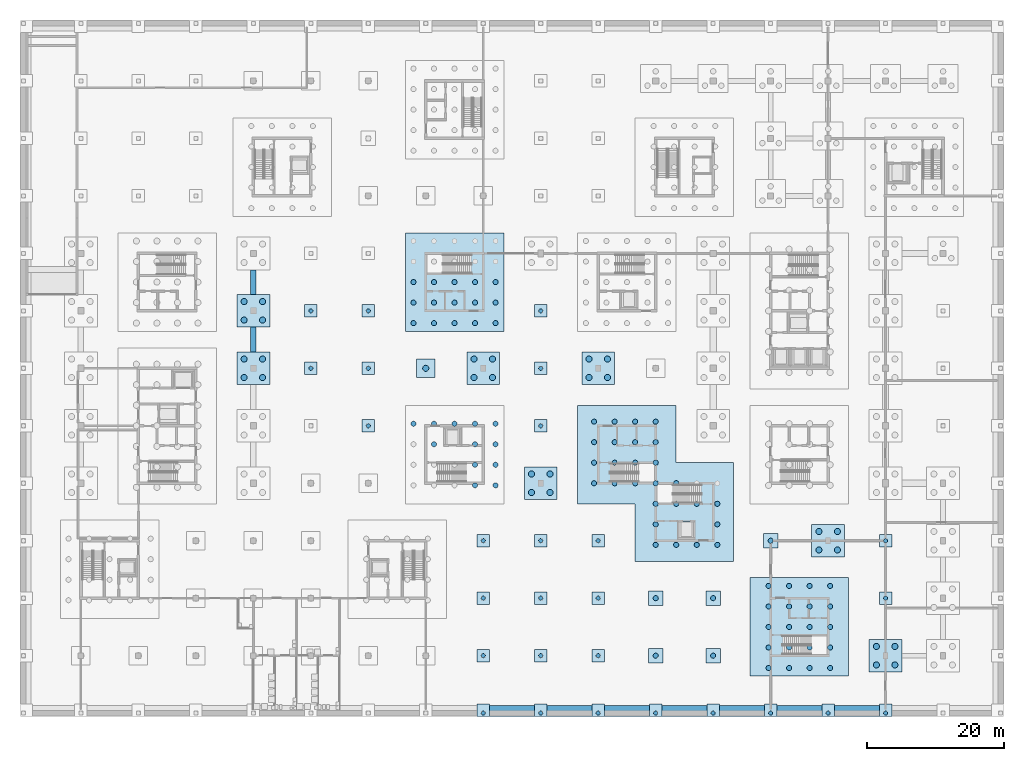
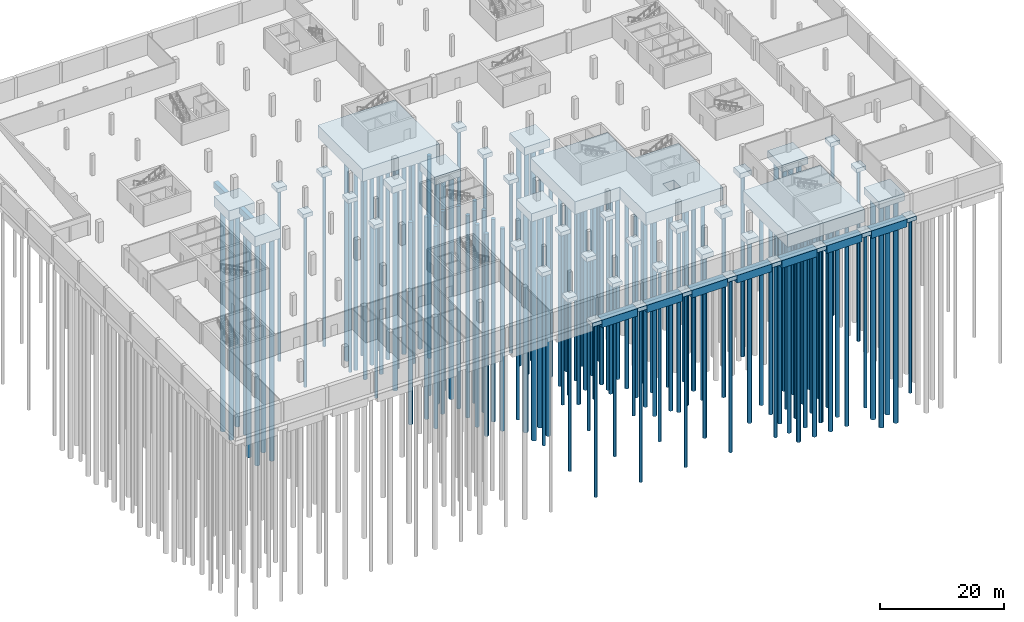
# One storey, part 2 of 23: 135 piles, 52 footings.
"""IFC4 building model written with IfcOpenShell, lengths in metres."""

from ifc_helpers import new_model, si_unit, direction, frame, origin, origin_2d, place, context, subcontext, project, spatial, polyline, rectangle, circle, outline, extrude, material, layer, layer_set, material_profile, profile_set, type_object, element, save


model = new_model("IFC4")

# Units and contexts
model_context = context("Model", 3, precision=1e-05, world=origin(), true_north=direction((0.0, 1.0)))
body_context = subcontext(model_context, "Body", "Model", "MODEL_VIEW")
ifc_project = project(units=[si_unit("LENGTHUNIT", "METRE"), si_unit("AREAUNIT", "SQUARE_METRE"), si_unit("VOLUMEUNIT", "CUBIC_METRE"), si_unit("PLANEANGLEUNIT", "RADIAN"), si_unit("MASSUNIT", "GRAM", prefix="KILO")], contexts=[model_context])

# Site, building, storey
site_placement = place(None, origin())
site = spatial("IfcSite", under=ifc_project, at=site_placement, CompositionType="ELEMENT")
building_placement = place(site_placement, origin())
building = spatial("IfcBuilding", under=site, at=building_placement, Name="Hlaing Beacon Police Headquarters", CompositionType="ELEMENT")
storey_placement = place(building_placement, frame((0.0, 0.0, -4.5)))
storey = spatial("IfcBuildingStorey", under=building, at=storey_placement, Name="B1", CompositionType="ELEMENT", Elevation=-4.5)

# Piles
ifc_material_1 = material(Name="Concrete C40/50", Category="concrete")
ifc_material_profile_1 = material_profile(ifc_material_1, circle(Radius=0.300048828125, at=origin_2d()), Name="D600")
ifc_profile_set_1 = profile_set([ifc_material_profile_1], Name="Concrete C40/50")
pile_type_1 = type_object("IfcPileType", Name="Bored pile D600 L34", PredefinedType="BORED", material=ifc_profile_set_1)
for number, where, z_axis, x_axis, name in (
    (1, (42.0, 50.39990234375, -1.39990234375), (0.0, 0.0, -1.0), (1.0, 0.0, 0.0), "STR-PILE-F7"),
    (2, (42.0, 58.800048828125, -1.39990234375), (0.0, 0.0, -1.0), (1.0, 0.0, 0.0), "STR-PILE-F8"),
    (3, (50.39990234375, 42.0, -1.39990234375), (0.0, 0.0, -1.0), (1.0, 0.0, 0.0), "STR-PILE-G6"),
    (4, (50.39990234375, 50.39990234375, -1.39990234375), (0.0, 0.0, -1.0), (1.0, 0.0, 0.0), "STR-PILE-G7"),
    (5, (50.39990234375, 58.800048828125, -1.39990234375), (0.0, 0.0, -1.0), (1.0, 0.0, 0.0), "STR-PILE-G8"),
    (6, (67.199951171875, 0.0, -1.39990234375), (0.0, 0.0, -1.0), (1.0, 0.0, 0.0), "STR-PILE-J1"),
    (7, (67.199951171875, 8.39990234375, -1.39990234375), (0.0, 0.0, -1.0), (1.0, 0.0, 0.0), "STR-PILE-J2"),
    (8, (67.199951171875, 16.800048828125, -1.39990234375), (0.0, 0.0, -1.0), (1.0, 0.0, 0.0), "STR-PILE-J3"),
    (9, (67.199951171875, 25.199951171875, -1.39990234375), (0.0, 0.0, -1.0), (1.0, 0.0, 0.0), "STR-PILE-J4"),
    (10, (75.60009765625, 0.0, -1.39990234375), (0.0, 0.0, -1.0), (1.0, 0.0, 0.0), "STR-PILE-K1"),
    (11, (75.60009765625, 8.39990234375, -1.39990234375), (0.0, 0.0, -1.0), (1.0, 0.0, 0.0), "STR-PILE-K2"),
    (12, (75.60009765625, 16.800048828125, -1.39990234375), (0.0, 0.0, -1.0), (1.0, 0.0, 0.0), "STR-PILE-K3"),
    (13, (75.60009765625, 25.199951171875, -1.39990234375), (0.0, 0.0, -1.0), (1.0, 0.0, 0.0), "STR-PILE-K4"),
    (14, (75.60009765625, 42.0, -1.39990234375), (0.0, 0.0, -1.0), (1.0, 0.0, 0.0), "STR-PILE-K6"),
    (15, (75.60009765625, 50.39990234375, -1.39990234375), (0.0, 0.0, -1.0), (1.0, 0.0, 0.0), "STR-PILE-K7"),
    (16, (75.60009765625, 58.800048828125, -1.39990234375), (0.0, 0.0, -1.0), (1.0, 0.0, 0.0), "STR-PILE-K8"),
    (17, (84.0, 0.0, -1.39990234375), (0.0, 0.0, -1.0), (1.0, 0.0, 0.0), "STR-PILE-L1"),
    (18, (84.0, 8.39990234375, -1.39990234375), (0.0, 0.0, -1.0), (1.0, 0.0, 0.0), "STR-PILE-L2"),
    (19, (84.0, 16.800048828125, -1.39990234375), (0.0, 0.0, -1.0), (1.0, 0.0, 0.0), "STR-PILE-L3"),
    (20, (84.0, 25.199951171875, -1.39990234375), (0.0, 0.0, -1.0), (1.0, 0.0, 0.0), "STR-PILE-L4"),
    (21, (92.39990234375, 0.0, -1.39990234375), (0.0, 0.0, -1.0), (1.0, 0.0, 0.0), "STR-PILE-M1"),
    (22, (100.800048828125, 0.0, -1.39990234375), (0.0, 0.0, -1.0), (1.0, 0.0, 0.0), "STR-PILE-N1"),
    (23, (109.199951171875, 0.0, -1.39990234375), (0.0, 0.0, -1.0), (1.0, 0.0, 0.0), "STR-PILE-P1"),
    (24, (117.60009765625, 0.0, -1.39990234375), (0.0, 0.0, -1.0), (1.0, 0.0, 0.0), "STR-PILE-Q1"),
    (25, (126.0, 0.0, -1.39990234375), (0.0, 0.0, -1.0), (1.0, 0.0, 0.0), "STR-PILE-R1"),
    (26, (126.0, 16.800048828125, -1.39990234375), (0.0, 0.0, -1.0), (1.0, 0.0, 0.0), "STR-PILE-R3"),
    (27, (126.0, 25.199951171875, -1.39990234375), (0.0, 0.0, -1.0), (1.0, 0.0, 0.0), "STR-PILE-R4"),
):
    element("IfcPile", number, at=place(storey_placement, frame(where, z_axis=z_axis, x_axis=x_axis)), inside=storey, type_object=pile_type_1, Name=name, PredefinedType="BORED", context=body_context, shape_type="SweptSolid", body=[
        extrude(circle(Radius=0.300048828125, at=origin_2d()), origin(), (0.0, 0.0, 1.0), 34.0),
    ])
ifc_material_2 = material(Name="Concrete C40/50", Category="concrete")
ifc_material_profile_2 = material_profile(ifc_material_2, circle(Radius=0.375, at=origin_2d()), Name="D750")
ifc_profile_set_2 = profile_set([ifc_material_profile_2], Name="Concrete C40/50")
pile_type_2 = type_object("IfcPileType", Name="Bored pile D750 L36", PredefinedType="BORED", material=ifc_profile_set_2)
for number, where, z_axis, x_axis, name in (
    (28, (92.39990234375, 8.39990234375, -1.60009765625), (0.0, 0.0, -1.0), (1.0, 0.0, 0.0), "STR-PILE-M2"),
    (29, (92.39990234375, 16.800048828125, -1.60009765625), (0.0, 0.0, -1.0), (1.0, 0.0, 0.0), "STR-PILE-M3"),
    (30, (100.800048828125, 8.39990234375, -1.60009765625), (0.0, 0.0, -1.0), (1.0, 0.0, 0.0), "STR-PILE-N2"),
    (31, (100.800048828125, 16.800048828125, -1.60009765625), (0.0, 0.0, -1.0), (1.0, 0.0, 0.0), "STR-PILE-N3"),
    (32, (109.199951171875, 25.199951171875, -1.60009765625), (0.0, 0.0, -1.0), (1.0, 0.0, 0.0), "STR-PILE-P4"),
):
    element("IfcPile", number, at=place(storey_placement, frame(where, z_axis=z_axis, x_axis=x_axis)), inside=storey, type_object=pile_type_2, Name=name, PredefinedType="BORED", context=body_context, shape_type="SweptSolid", body=[
        extrude(circle(Radius=0.375, at=origin_2d()), origin(), (0.0, 0.0, 1.0), 36.0),
    ])
ifc_material_3 = material(Name="Concrete C40/50", Category="concrete")
ifc_material_profile_3 = material_profile(ifc_material_3, circle(Radius=0.375, at=origin_2d()), Name="D750")
ifc_profile_set_3 = profile_set([ifc_material_profile_3], Name="Concrete C40/50")
pile_type_3 = type_object("IfcPileType", Name="Bored pile D750 L40", PredefinedType="BORED", material=ifc_profile_set_3)
for number, where, z_axis, x_axis, name in (
    (33, (57.0, 42.300048828125, -3.10009765625), (0.0, 0.0, -1.0), (1.0, 0.0, 0.0), "STR-PILE-RFC1a-0104"),
    (34, (60.0, 39.300048828125, -3.10009765625), (0.0, 0.0, -1.0), (1.0, 0.0, 0.0), "STR-PILE-RFC1a-0203"),
    (35, (60.0, 42.300048828125, -3.10009765625), (0.0, 0.0, -1.0), (1.0, 0.0, 0.0), "STR-PILE-RFC1a-0204"),
    (36, (63.0, 42.300048828125, -3.10009765625), (0.0, 0.0, -1.0), (1.0, 0.0, 0.0), "STR-PILE-RFC1a-0304"),
    (37, (66.0, 33.300048828125, -3.10009765625), (0.0, 0.0, -1.0), (1.0, 0.0, 0.0), "STR-PILE-RFC1a-0401"),
    (38, (66.0, 36.300048828125, -3.10009765625), (0.0, 0.0, -1.0), (1.0, 0.0, 0.0), "STR-PILE-RFC1a-0402"),
    (39, (66.0, 39.300048828125, -3.10009765625), (0.0, 0.0, -1.0), (1.0, 0.0, 0.0), "STR-PILE-RFC1a-0403"),
    (40, (66.0, 42.300048828125, -3.10009765625), (0.0, 0.0, -1.0), (1.0, 0.0, 0.0), "STR-PILE-RFC1a-0404"),
    (41, (69.0, 33.300048828125, -3.10009765625), (0.0, 0.0, -1.0), (1.0, 0.0, 0.0), "STR-PILE-RFC1a-0501"),
    (42, (69.0, 36.300048828125, -3.10009765625), (0.0, 0.0, -1.0), (1.0, 0.0, 0.0), "STR-PILE-RFC1a-0502"),
    (43, (69.0, 39.300048828125, -3.10009765625), (0.0, 0.0, -1.0), (1.0, 0.0, 0.0), "STR-PILE-RFC1a-0503"),
    (44, (69.0, 42.300048828125, -3.10009765625), (0.0, 0.0, -1.0), (1.0, 0.0, 0.0), "STR-PILE-RFC1a-0504"),
    (45, (57.0, 57.0, -3.10009765625), (0.0, 0.0, -1.0), (1.0, 0.0, 0.0), "STR-PILE-RFC1b-0101"),
    (46, (57.0, 60.0, -3.10009765625), (0.0, 0.0, -1.0), (1.0, 0.0, 0.0), "STR-PILE-RFC1b-0102"),
    (47, (57.0, 63.0, -3.10009765625), (0.0, 0.0, -1.0), (1.0, 0.0, 0.0), "STR-PILE-RFC1b-0103"),
    (48, (60.0, 57.0, -3.10009765625), (0.0, 0.0, -1.0), (1.0, 0.0, 0.0), "STR-PILE-RFC1b-0201"),
    (49, (60.0, 60.0, -3.10009765625), (0.0, 0.0, -1.0), (1.0, 0.0, 0.0), "STR-PILE-RFC1b-0202"),
    (50, (60.0, 63.0, -3.10009765625), (0.0, 0.0, -1.0), (1.0, 0.0, 0.0), "STR-PILE-RFC1b-0203"),
    (51, (63.0, 57.0, -3.10009765625), (0.0, 0.0, -1.0), (1.0, 0.0, 0.0), "STR-PILE-RFC1b-0301"),
    (52, (63.0, 60.0, -3.10009765625), (0.0, 0.0, -1.0), (1.0, 0.0, 0.0), "STR-PILE-RFC1b-0302"),
    (53, (63.0, 63.0, -3.10009765625), (0.0, 0.0, -1.0), (1.0, 0.0, 0.0), "STR-PILE-RFC1b-0303"),
    (54, (66.0, 57.0, -3.10009765625), (0.0, 0.0, -1.0), (1.0, 0.0, 0.0), "STR-PILE-RFC1b-0401"),
    (55, (66.0, 60.0, -3.10009765625), (0.0, 0.0, -1.0), (1.0, 0.0, 0.0), "STR-PILE-RFC1b-0402"),
    (56, (66.0, 63.0, -3.10009765625), (0.0, 0.0, -1.0), (1.0, 0.0, 0.0), "STR-PILE-RFC1b-0403"),
    (57, (69.0, 57.0, -3.10009765625), (0.0, 0.0, -1.0), (1.0, 0.0, 0.0), "STR-PILE-RFC1b-0501"),
    (58, (69.0, 60.0, -3.10009765625), (0.0, 0.0, -1.0), (1.0, 0.0, 0.0), "STR-PILE-RFC1b-0502"),
    (59, (69.0, 63.0, -3.10009765625), (0.0, 0.0, -1.0), (1.0, 0.0, 0.0), "STR-PILE-RFC1b-0503"),
    (60, (83.39990234375, 33.60009765625, -3.10009765625), (0.0, 0.0, -1.0), (1.0, 0.0, 0.0), "STR-PILE-RFC1c-0104"),
    (61, (83.39990234375, 36.60009765625, -3.10009765625), (0.0, 0.0, -1.0), (1.0, 0.0, 0.0), "STR-PILE-RFC1c-0105"),
    (62, (83.39990234375, 39.60009765625, -3.10009765625), (0.0, 0.0, -1.0), (1.0, 0.0, 0.0), "STR-PILE-RFC1c-0106"),
    (63, (83.39990234375, 42.60009765625, -3.10009765625), (0.0, 0.0, -1.0), (1.0, 0.0, 0.0), "STR-PILE-RFC1c-0107"),
    (64, (86.39990234375, 33.60009765625, -3.10009765625), (0.0, 0.0, -1.0), (1.0, 0.0, 0.0), "STR-PILE-RFC1c-0204"),
    (65, (86.39990234375, 36.60009765625, -3.10009765625), (0.0, 0.0, -1.0), (1.0, 0.0, 0.0), "STR-PILE-RFC1c-0205"),
    (66, (86.39990234375, 39.60009765625, -3.10009765625), (0.0, 0.0, -1.0), (1.0, 0.0, 0.0), "STR-PILE-RFC1c-0206"),
    (67, (86.39990234375, 42.60009765625, -3.10009765625), (0.0, 0.0, -1.0), (1.0, 0.0, 0.0), "STR-PILE-RFC1c-0207"),
    (68, (89.39990234375, 33.60009765625, -3.10009765625), (0.0, 0.0, -1.0), (1.0, 0.0, 0.0), "STR-PILE-RFC1c-0304"),
    (69, (89.39990234375, 36.60009765625, -3.10009765625), (0.0, 0.0, -1.0), (1.0, 0.0, 0.0), "STR-PILE-RFC1c-0305"),
    (70, (89.39990234375, 39.60009765625, -3.10009765625), (0.0, 0.0, -1.0), (1.0, 0.0, 0.0), "STR-PILE-RFC1c-0306"),
    (71, (89.39990234375, 42.60009765625, -3.10009765625), (0.0, 0.0, -1.0), (1.0, 0.0, 0.0), "STR-PILE-RFC1c-0307"),
    (72, (92.39990234375, 24.60009765625, -3.10009765625), (0.0, 0.0, -1.0), (1.0, 0.0, 0.0), "STR-PILE-RFC1c-0401"),
    (73, (92.39990234375, 27.60009765625, -3.10009765625), (0.0, 0.0, -1.0), (1.0, 0.0, 0.0), "STR-PILE-RFC1c-0402"),
    (74, (92.39990234375, 30.60009765625, -3.10009765625), (0.0, 0.0, -1.0), (1.0, 0.0, 0.0), "STR-PILE-RFC1c-0403"),
    (75, (92.39990234375, 33.60009765625, -3.10009765625), (0.0, 0.0, -1.0), (1.0, 0.0, 0.0), "STR-PILE-RFC1c-0404"),
    (76, (92.39990234375, 36.60009765625, -3.10009765625), (0.0, 0.0, -1.0), (1.0, 0.0, 0.0), "STR-PILE-RFC1c-0405"),
    (77, (92.39990234375, 39.60009765625, -3.10009765625), (0.0, 0.0, -1.0), (1.0, 0.0, 0.0), "STR-PILE-RFC1c-0406"),
    (78, (92.39990234375, 42.60009765625, -3.10009765625), (0.0, 0.0, -1.0), (1.0, 0.0, 0.0), "STR-PILE-RFC1c-0407"),
    (79, (95.39990234375, 24.60009765625, -3.10009765625), (0.0, 0.0, -1.0), (1.0, 0.0, 0.0), "STR-PILE-RFC1c-0501"),
    (80, (95.39990234375, 30.60009765625, -3.10009765625), (0.0, 0.0, -1.0), (1.0, 0.0, 0.0), "STR-PILE-RFC1c-0503"),
    (81, (95.39990234375, 33.60009765625, -3.10009765625), (0.0, 0.0, -1.0), (1.0, 0.0, 0.0), "STR-PILE-RFC1c-0504"),
    (82, (98.39990234375, 24.60009765625, -3.10009765625), (0.0, 0.0, -1.0), (1.0, 0.0, 0.0), "STR-PILE-RFC1c-0601"),
    (83, (98.39990234375, 30.60009765625, -3.10009765625), (0.0, 0.0, -1.0), (1.0, 0.0, 0.0), "STR-PILE-RFC1c-0603"),
    (84, (101.39990234375, 24.60009765625, -3.10009765625), (0.0, 0.0, -1.0), (1.0, 0.0, 0.0), "STR-PILE-RFC1c-0701"),
    (85, (101.39990234375, 27.60009765625, -3.10009765625), (0.0, 0.0, -1.0), (1.0, 0.0, 0.0), "STR-PILE-RFC1c-0702"),
    (86, (101.39990234375, 30.60009765625, -3.10009765625), (0.0, 0.0, -1.0), (1.0, 0.0, 0.0), "STR-PILE-RFC1c-0703"),
    (87, (108.89990234375, 6.60009765625, -3.10009765625), (0.0, 0.0, -1.0), (1.0, 0.0, 0.0), "STR-PILE-RFC3b-0101"),
    (88, (108.89990234375, 9.60009765625, -3.10009765625), (0.0, 0.0, -1.0), (1.0, 0.0, 0.0), "STR-PILE-RFC3b-0102"),
    (89, (108.89990234375, 12.60009765625, -3.10009765625), (0.0, 0.0, -1.0), (1.0, 0.0, 0.0), "STR-PILE-RFC3b-0103"),
    (90, (108.89990234375, 15.60009765625, -3.10009765625), (0.0, 0.0, -1.0), (1.0, 0.0, 0.0), "STR-PILE-RFC3b-0104"),
    (91, (108.89990234375, 18.60009765625, -3.10009765625), (0.0, 0.0, -1.0), (1.0, 0.0, 0.0), "STR-PILE-RFC3b-0105"),
    (92, (111.89990234375, 6.60009765625, -3.10009765625), (0.0, 0.0, -1.0), (1.0, 0.0, 0.0), "STR-PILE-RFC3b-0201"),
    (93, (111.89990234375, 9.60009765625, -3.10009765625), (0.0, 0.0, -1.0), (1.0, 0.0, 0.0), "STR-PILE-RFC3b-0202"),
    (94, (111.89990234375, 12.60009765625, -3.10009765625), (0.0, 0.0, -1.0), (1.0, 0.0, 0.0), "STR-PILE-RFC3b-0203"),
    (95, (111.89990234375, 15.60009765625, -3.10009765625), (0.0, 0.0, -1.0), (1.0, 0.0, 0.0), "STR-PILE-RFC3b-0204"),
    (96, (111.89990234375, 18.60009765625, -3.10009765625), (0.0, 0.0, -1.0), (1.0, 0.0, 0.0), "STR-PILE-RFC3b-0205"),
    (97, (114.89990234375, 6.60009765625, -3.10009765625), (0.0, 0.0, -1.0), (1.0, 0.0, 0.0), "STR-PILE-RFC3b-0301"),
    (98, (114.89990234375, 9.60009765625, -3.10009765625), (0.0, 0.0, -1.0), (1.0, 0.0, 0.0), "STR-PILE-RFC3b-0302"),
    (99, (114.89990234375, 12.60009765625, -3.10009765625), (0.0, 0.0, -1.0), (1.0, 0.0, 0.0), "STR-PILE-RFC3b-0303"),
    (100, (114.89990234375, 15.60009765625, -3.10009765625), (0.0, 0.0, -1.0), (1.0, 0.0, 0.0), "STR-PILE-RFC3b-0304"),
    (101, (114.89990234375, 18.60009765625, -3.10009765625), (0.0, 0.0, -1.0), (1.0, 0.0, 0.0), "STR-PILE-RFC3b-0305"),
    (102, (117.89990234375, 6.60009765625, -3.10009765625), (0.0, 0.0, -1.0), (1.0, 0.0, 0.0), "STR-PILE-RFC3b-0401"),
    (103, (117.89990234375, 9.60009765625, -3.10009765625), (0.0, 0.0, -1.0), (1.0, 0.0, 0.0), "STR-PILE-RFC3b-0402"),
    (104, (117.89990234375, 12.60009765625, -3.10009765625), (0.0, 0.0, -1.0), (1.0, 0.0, 0.0), "STR-PILE-RFC3b-0403"),
    (105, (117.89990234375, 15.60009765625, -3.10009765625), (0.0, 0.0, -1.0), (1.0, 0.0, 0.0), "STR-PILE-RFC3b-0404"),
    (106, (117.89990234375, 18.60009765625, -3.10009765625), (0.0, 0.0, -1.0), (1.0, 0.0, 0.0), "STR-PILE-RFC3b-0405"),
):
    element("IfcPile", number, at=place(storey_placement, frame(where, z_axis=z_axis, x_axis=x_axis)), inside=storey, type_object=pile_type_3, Name=name, PredefinedType="BORED", context=body_context, shape_type="SweptSolid", body=[
        extrude(circle(Radius=0.375, at=origin_2d()), origin(), (0.0, 0.0, 1.0), 40.0),
    ])
ifc_material_4 = material(Name="Concrete C40/50", Category="concrete")
ifc_material_profile_4 = material_profile(ifc_material_4, circle(Radius=0.449951171875, at=origin_2d()), Name="D900")
ifc_profile_set_4 = profile_set([ifc_material_profile_4], Name="Concrete C40/50")
pile_type_4 = type_object("IfcPileType", Name="Bored pile D900 L40", PredefinedType="BORED", material=ifc_profile_set_4)
pile_placement = place(storey_placement, frame((58.800048828125, 50.39990234375, -1.89990234375), z_axis=(0.0, 0.0, -1.0), x_axis=(1.0, 0.0, 0.0)))
element("IfcPile", 107, at=pile_placement, inside=storey, type_object=pile_type_4, Name="STR-PILE-H7", PredefinedType="BORED", context=body_context, shape_type="SweptSolid", body=[
    extrude(circle(Radius=0.449951171875, at=origin_2d()), origin(), (0.0, 0.0, 1.0), 40.0),
])
ifc_material_5 = material(Name="Concrete C40/50", Category="concrete")
ifc_material_profile_5 = material_profile(ifc_material_5, circle(Radius=0.449951171875, at=origin_2d()), Name="D900")
ifc_profile_set_5 = profile_set([ifc_material_profile_5], Name="Concrete C40/50")
pile_type_5 = type_object("IfcPileType", Name="Bored pile D900 L44", PredefinedType="BORED", material=ifc_profile_set_5)
for number, where, z_axis, x_axis, name in (
    (108, (32.25, 49.050048828125, -2.60009765625), (0.0, 0.0, -1.0), (1.0, 0.0, 0.0), "STR-PILE-E7-1"),
    (109, (34.949951171875, 49.050048828125, -2.60009765625), (0.0, 0.0, -1.0), (1.0, 0.0, 0.0), "STR-PILE-E7-2"),
    (110, (34.949951171875, 51.75, -2.60009765625), (0.0, 0.0, -1.0), (1.0, 0.0, 0.0), "STR-PILE-E7-3"),
    (111, (32.25, 51.75, -2.60009765625), (0.0, 0.0, -1.0), (1.0, 0.0, 0.0), "STR-PILE-E7-4"),
    (112, (32.25, 57.449951171875, -2.60009765625), (0.0, 0.0, -1.0), (1.0, 0.0, 0.0), "STR-PILE-E8-1"),
    (113, (34.949951171875, 57.449951171875, -2.60009765625), (0.0, 0.0, -1.0), (1.0, 0.0, 0.0), "STR-PILE-E8-2"),
    (114, (34.949951171875, 60.14990234375, -2.60009765625), (0.0, 0.0, -1.0), (1.0, 0.0, 0.0), "STR-PILE-E8-3"),
    (115, (32.25, 60.14990234375, -2.60009765625), (0.0, 0.0, -1.0), (1.0, 0.0, 0.0), "STR-PILE-E8-4"),
    (116, (65.85009765625, 49.050048828125, -2.199951171875), (0.0, 0.0, -1.0), (1.0, 0.0, 0.0), "STR-PILE-J7-1"),
    (117, (68.550048828125, 49.050048828125, -2.199951171875), (0.0, 0.0, -1.0), (1.0, 0.0, 0.0), "STR-PILE-J7-2"),
    (118, (68.550048828125, 51.75, -2.199951171875), (0.0, 0.0, -1.0), (1.0, 0.0, 0.0), "STR-PILE-J7-3"),
    (119, (65.85009765625, 51.75, -2.199951171875), (0.0, 0.0, -1.0), (1.0, 0.0, 0.0), "STR-PILE-J7-4"),
    (120, (74.25, 32.25, -2.199951171875), (0.0, 0.0, -1.0), (1.0, 0.0, 0.0), "STR-PILE-K5-1"),
    (121, (76.949951171875, 32.25, -2.199951171875), (0.0, 0.0, -1.0), (1.0, 0.0, 0.0), "STR-PILE-K5-2"),
    (122, (76.949951171875, 34.949951171875, -2.199951171875), (0.0, 0.0, -1.0), (1.0, 0.0, 0.0), "STR-PILE-K5-3"),
    (123, (74.25, 34.949951171875, -2.199951171875), (0.0, 0.0, -1.0), (1.0, 0.0, 0.0), "STR-PILE-K5-4"),
    (124, (82.64990234375, 49.050048828125, -2.199951171875), (0.0, 0.0, -1.0), (1.0, 0.0, 0.0), "STR-PILE-L7-1"),
    (125, (85.35009765625, 49.050048828125, -2.199951171875), (0.0, 0.0, -1.0), (1.0, 0.0, 0.0), "STR-PILE-L7-2"),
    (126, (85.35009765625, 51.75, -2.199951171875), (0.0, 0.0, -1.0), (1.0, 0.0, 0.0), "STR-PILE-L7-3"),
    (127, (82.64990234375, 51.75, -2.199951171875), (0.0, 0.0, -1.0), (1.0, 0.0, 0.0), "STR-PILE-L7-4"),
    (128, (116.25, 23.85009765625, -2.0), (0.0, 0.0, -1.0), (1.0, 0.0, 0.0), "STR-PILE-Q4-1"),
    (129, (118.949951171875, 23.85009765625, -2.0), (0.0, 0.0, -1.0), (1.0, 0.0, 0.0), "STR-PILE-Q4-2"),
    (130, (118.949951171875, 26.550048828125, -2.0), (0.0, 0.0, -1.0), (1.0, 0.0, 0.0), "STR-PILE-Q4-3"),
    (131, (116.25, 26.550048828125, -2.0), (0.0, 0.0, -1.0), (1.0, 0.0, 0.0), "STR-PILE-Q4-4"),
    (132, (124.64990234375, 7.050048828125, -2.0), (0.0, 0.0, -1.0), (1.0, 0.0, 0.0), "STR-PILE-R2-1"),
    (133, (127.35009765625, 7.050048828125, -2.0), (0.0, 0.0, -1.0), (1.0, 0.0, 0.0), "STR-PILE-R2-2"),
    (134, (127.35009765625, 9.75, -2.0), (0.0, 0.0, -1.0), (1.0, 0.0, 0.0), "STR-PILE-R2-3"),
    (135, (124.64990234375, 9.75, -2.0), (0.0, 0.0, -1.0), (1.0, 0.0, 0.0), "STR-PILE-R2-4"),
):
    element("IfcPile", number, at=place(storey_placement, frame(where, z_axis=z_axis, x_axis=x_axis)), inside=storey, type_object=pile_type_5, Name=name, PredefinedType="BORED", context=body_context, shape_type="SweptSolid", body=[
        extrude(circle(Radius=0.449951171875, at=origin_2d()), origin(), (0.0, 0.0, 1.0), 44.0),
    ])

# Footings
ifc_material_6 = material(Name="Concrete C40/50", Category="concrete")
ifc_layer_1 = layer(ifc_material_6, 0.800048828125)
ifc_layer_set_1 = layer_set([ifc_layer_1], Name="Concrete C40/50")
footing_type_1 = type_object("IfcFootingType", Name="Pad footing 1800 x 1800 x 800", PredefinedType="PAD_FOOTING", material=ifc_layer_set_1)
for number, where, z_axis, x_axis, name in (
    (136, (42.0, 50.39990234375, -1.39990234375), (0.0, 0.0, 1.0), (1.0, 0.0, 0.0), "STR-PAD-F7"),
    (137, (42.0, 58.800048828125, -1.39990234375), (0.0, 0.0, 1.0), (1.0, 0.0, 0.0), "STR-PAD-F8"),
    (138, (50.39990234375, 42.0, -1.39990234375), (0.0, 0.0, 1.0), (1.0, 0.0, 0.0), "STR-PAD-G6"),
    (139, (50.39990234375, 50.39990234375, -1.39990234375), (0.0, 0.0, 1.0), (1.0, 0.0, 0.0), "STR-PAD-G7"),
    (140, (50.39990234375, 58.800048828125, -1.39990234375), (0.0, 0.0, 1.0), (1.0, 0.0, 0.0), "STR-PAD-G8"),
    (141, (67.199951171875, 0.449951171875, -1.39990234375), (0.0, 0.0, 1.0), (1.0, 0.0, 0.0), "STR-PAD-J1"),
    (142, (67.199951171875, 8.39990234375, -1.39990234375), (0.0, 0.0, 1.0), (1.0, 0.0, 0.0), "STR-PAD-J2"),
    (143, (67.199951171875, 16.800048828125, -1.39990234375), (0.0, 0.0, 1.0), (1.0, 0.0, 0.0), "STR-PAD-J3"),
    (144, (67.199951171875, 25.199951171875, -1.39990234375), (0.0, 0.0, 1.0), (1.0, 0.0, 0.0), "STR-PAD-J4"),
    (145, (75.60009765625, 0.449951171875, -1.39990234375), (0.0, 0.0, 1.0), (1.0, 0.0, 0.0), "STR-PAD-K1"),
    (146, (75.60009765625, 8.39990234375, -1.39990234375), (0.0, 0.0, 1.0), (1.0, 0.0, 0.0), "STR-PAD-K2"),
    (147, (75.60009765625, 16.800048828125, -1.39990234375), (0.0, 0.0, 1.0), (1.0, 0.0, 0.0), "STR-PAD-K3"),
    (148, (75.60009765625, 25.199951171875, -1.39990234375), (0.0, 0.0, 1.0), (1.0, 0.0, 0.0), "STR-PAD-K4"),
    (149, (75.60009765625, 42.0, -1.39990234375), (0.0, 0.0, 1.0), (1.0, 0.0, 0.0), "STR-PAD-K6"),
    (150, (75.60009765625, 50.39990234375, -1.39990234375), (0.0, 0.0, 1.0), (1.0, 0.0, 0.0), "STR-PAD-K7"),
    (151, (75.60009765625, 58.800048828125, -1.39990234375), (0.0, 0.0, 1.0), (1.0, 0.0, 0.0), "STR-PAD-K8"),
    (152, (84.0, 0.449951171875, -1.39990234375), (0.0, 0.0, 1.0), (1.0, 0.0, 0.0), "STR-PAD-L1"),
    (153, (84.0, 8.39990234375, -1.39990234375), (0.0, 0.0, 1.0), (1.0, 0.0, 0.0), "STR-PAD-L2"),
    (154, (84.0, 16.800048828125, -1.39990234375), (0.0, 0.0, 1.0), (1.0, 0.0, 0.0), "STR-PAD-L3"),
    (155, (84.0, 25.199951171875, -1.39990234375), (0.0, 0.0, 1.0), (1.0, 0.0, 0.0), "STR-PAD-L4"),
    (156, (92.39990234375, 0.449951171875, -1.39990234375), (0.0, 0.0, 1.0), (1.0, 0.0, 0.0), "STR-PAD-M1"),
    (157, (100.800048828125, 0.449951171875, -1.39990234375), (0.0, 0.0, 1.0), (1.0, 0.0, 0.0), "STR-PAD-N1"),
    (158, (109.199951171875, 0.449951171875, -1.39990234375), (0.0, 0.0, 1.0), (1.0, 0.0, 0.0), "STR-PAD-P1"),
    (159, (117.60009765625, 0.449951171875, -1.39990234375), (0.0, 0.0, 1.0), (1.0, 0.0, 0.0), "STR-PAD-Q1"),
    (160, (126.0, 0.449951171875, -1.39990234375), (0.0, 0.0, 1.0), (1.0, 0.0, 0.0), "STR-PAD-R1"),
    (161, (126.0, 16.800048828125, -1.39990234375), (0.0, 0.0, 1.0), (1.0, 0.0, 0.0), "STR-PAD-R3"),
    (162, (126.0, 25.199951171875, -1.39990234375), (0.0, 0.0, 1.0), (1.0, 0.0, 0.0), "STR-PAD-R4"),
):
    element("IfcFooting", number, at=place(storey_placement, frame(where, z_axis=z_axis, x_axis=x_axis)), inside=storey, type_object=footing_type_1, Name=name, PredefinedType="PAD_FOOTING", context=body_context, shape_type="SweptSolid", body=[
        extrude(rectangle(XDim=1.800048828125, YDim=1.800048828125, at=origin_2d()), origin(), (0.0, 0.0, 1.0), 0.800048828125),
    ])
ifc_material_7 = material(Name="Concrete C40/50", Category="concrete")
ifc_layer_2 = layer(ifc_material_7, 1.0)
ifc_layer_set_2 = layer_set([ifc_layer_2], Name="Concrete C40/50")
footing_type_2 = type_object("IfcFootingType", Name="Pad footing 2100 x 2100 x 1000", PredefinedType="PAD_FOOTING", material=ifc_layer_set_2)
for number, where, z_axis, x_axis, name in (
    (163, (92.39990234375, 8.39990234375, -1.60009765625), (0.0, 0.0, 1.0), (1.0, 0.0, 0.0), "STR-PAD-M2"),
    (164, (92.39990234375, 16.800048828125, -1.60009765625), (0.0, 0.0, 1.0), (1.0, 0.0, 0.0), "STR-PAD-M3"),
    (165, (100.800048828125, 8.39990234375, -1.60009765625), (0.0, 0.0, 1.0), (1.0, 0.0, 0.0), "STR-PAD-N2"),
    (166, (100.800048828125, 16.800048828125, -1.60009765625), (0.0, 0.0, 1.0), (1.0, 0.0, 0.0), "STR-PAD-N3"),
    (167, (109.199951171875, 25.199951171875, -1.60009765625), (0.0, 0.0, 1.0), (1.0, 0.0, 0.0), "STR-PAD-P4"),
):
    element("IfcFooting", number, at=place(storey_placement, frame(where, z_axis=z_axis, x_axis=x_axis)), inside=storey, type_object=footing_type_2, Name=name, PredefinedType="PAD_FOOTING", context=body_context, shape_type="SweptSolid", body=[
        extrude(rectangle(XDim=2.10009765625, YDim=2.10009765625, at=origin_2d()), origin(), (0.0, 0.0, 1.0), 1.0),
    ])
ifc_material_8 = material(Name="Concrete C40/50", Category="concrete")
ifc_layer_3 = layer(ifc_material_8, 1.300048828125)
ifc_layer_set_3 = layer_set([ifc_layer_3], Name="Concrete C40/50")
footing_type_3 = type_object("IfcFootingType", Name="Pad footing 2700 x 2700 x 1300", PredefinedType="PAD_FOOTING", material=ifc_layer_set_3)
footing_1_placement = place(storey_placement, frame((58.800048828125, 50.39990234375, -1.89990234375), z_axis=(0.0, 0.0, 1.0), x_axis=(1.0, 0.0, 0.0)))
element("IfcFooting", 168, at=footing_1_placement, inside=storey, type_object=footing_type_3, Name="STR-PAD-H7", PredefinedType="PAD_FOOTING", context=body_context, shape_type="SweptSolid", body=[
    extrude(rectangle(XDim=2.699951171875, YDim=2.699951171875, at=origin_2d()), origin(), (0.0, 0.0, 1.0), 1.300048828125),
])
ifc_material_9 = material(Name="Concrete C40/50", Category="concrete")
ifc_layer_4 = layer(ifc_material_9, 1.39990234375)
ifc_layer_set_4 = layer_set([ifc_layer_4], Name="Concrete C40/50")
footing_type_4 = type_object("IfcFootingType", Name="Pile cap 4800 x 4800 x 1400", PredefinedType="PILE_CAP", material=ifc_layer_set_4)
for number, where, z_axis, x_axis, name in (
    (169, (117.60009765625, 25.199951171875, -2.0), (0.0, 0.0, 1.0), (1.0, 0.0, 0.0), "STR-CAP-Q4"),
    (170, (126.0, 8.39990234375, -2.0), (0.0, 0.0, 1.0), (1.0, 0.0, 0.0), "STR-CAP-R2"),
):
    element("IfcFooting", number, at=place(storey_placement, frame(where, z_axis=z_axis, x_axis=x_axis)), inside=storey, type_object=footing_type_4, Name=name, PredefinedType="PILE_CAP", context=body_context, shape_type="SweptSolid", body=[
        extrude(rectangle(XDim=4.800048828125, YDim=4.800048828125, at=origin_2d()), origin(), (0.0, 0.0, 1.0), 1.39990234375),
    ])
ifc_material_10 = material(Name="Concrete C40/50", Category="concrete")
ifc_layer_5 = layer(ifc_material_10, 1.60009765625)
ifc_layer_set_5 = layer_set([ifc_layer_5], Name="Concrete C40/50")
footing_type_5 = type_object("IfcFootingType", Name="Pile cap 4800 x 4800 x 1600", PredefinedType="PILE_CAP", material=ifc_layer_set_5)
for number, where, z_axis, x_axis, name in (
    (171, (67.199951171875, 50.39990234375, -2.199951171875), (0.0, 0.0, 1.0), (1.0, 0.0, 0.0), "STR-CAP-J7"),
    (172, (75.60009765625, 33.60009765625, -2.199951171875), (0.0, 0.0, 1.0), (1.0, 0.0, 0.0), "STR-CAP-K5"),
    (173, (84.0, 50.39990234375, -2.199951171875), (0.0, 0.0, 1.0), (1.0, 0.0, 0.0), "STR-CAP-L7"),
):
    element("IfcFooting", number, at=place(storey_placement, frame(where, z_axis=z_axis, x_axis=x_axis)), inside=storey, type_object=footing_type_5, Name=name, PredefinedType="PILE_CAP", context=body_context, shape_type="SweptSolid", body=[
        extrude(rectangle(XDim=4.800048828125, YDim=4.800048828125, at=origin_2d()), origin(), (0.0, 0.0, 1.0), 1.60009765625),
    ])
ifc_material_11 = material(Name="Concrete C40/50", Category="concrete")
ifc_layer_6 = layer(ifc_material_11, 2.0)
ifc_layer_set_6 = layer_set([ifc_layer_6], Name="Concrete C40/50")
footing_type_6 = type_object("IfcFootingType", Name="Pile cap 4800 x 4800 x 2000", PredefinedType="PILE_CAP", material=ifc_layer_set_6)
for number, where, z_axis, x_axis, name in (
    (174, (33.60009765625, 50.39990234375, -2.60009765625), (0.0, 0.0, 1.0), (1.0, 0.0, 0.0), "STR-CAP-E7"),
    (175, (33.60009765625, 58.800048828125, -2.60009765625), (0.0, 0.0, 1.0), (1.0, 0.0, 0.0), "STR-CAP-E8"),
):
    element("IfcFooting", number, at=place(storey_placement, frame(where, z_axis=z_axis, x_axis=x_axis)), inside=storey, type_object=footing_type_6, Name=name, PredefinedType="PILE_CAP", context=body_context, shape_type="SweptSolid", body=[
        extrude(rectangle(XDim=4.800048828125, YDim=4.800048828125, at=origin_2d()), origin(), (0.0, 0.0, 1.0), 2.0),
    ])
ifc_material_12 = material(Name="Concrete C40/50", Category="concrete")
ifc_layer_7 = layer(ifc_material_12, 2.5)
ifc_layer_set_7 = layer_set([ifc_layer_7], Name="Concrete C40/50")
footing_type_7 = type_object("IfcFootingType", Name="Piled raft 2500 14400 x 14400", PredefinedType="PILE_CAP", material=ifc_layer_set_7)
footing_2_placement = place(storey_placement, frame((0.0, 0.0, -3.10009765625)))
element("IfcFooting", 176, at=footing_2_placement, inside=storey, type_object=footing_type_7, Name="STR-RAFT-C1b", PredefinedType="PILE_CAP", context=body_context, shape_type="SweptSolid", body=[
    extrude(outline(polyline([(70.199951171875, 55.800048828125), (55.800048828125, 55.800048828125), (55.800048828125, 70.199951171875), (70.199951171875, 70.199951171875), (70.199951171875, 55.800048828125)])), origin(), (0.0, 0.0, 1.0), 2.5),
])
footing_3_placement = place(storey_placement, frame((0.0, 0.0, -3.10009765625)))
element("IfcFooting", 177, at=footing_3_placement, inside=storey, type_object=footing_type_7, Name="STR-RAFT-C3b", PredefinedType="PILE_CAP", context=body_context, shape_type="SweptSolid", body=[
    extrude(outline(polyline([(120.60009765625, 5.39990234375), (106.199951171875, 5.39990234375), (106.199951171875, 19.800048828125), (120.60009765625, 19.800048828125), (120.60009765625, 5.39990234375)])), origin(), (0.0, 0.0, 1.0), 2.5),
])
ifc_material_13 = material(Name="Concrete C40/50", Category="concrete")
ifc_layer_8 = layer(ifc_material_13, 2.5)
ifc_layer_set_8 = layer_set([ifc_layer_8], Name="Concrete C40/50")
footing_type_8 = type_object("IfcFootingType", Name="Piled raft 2500 22800 x 22800", PredefinedType="PILE_CAP", material=ifc_layer_set_8)
footing_4_placement = place(storey_placement, frame((0.0, 0.0, -3.10009765625)))
element("IfcFooting", 178, at=footing_4_placement, inside=storey, type_object=footing_type_8, Name="STR-RAFT-C1c", PredefinedType="PILE_CAP", context=body_context, shape_type="SweptSolid", body=[
    extrude(outline(polyline([(81.0, 45.0), (95.39990234375, 45.0), (95.39990234375, 36.60009765625), (103.800048828125, 36.60009765625), (103.800048828125, 22.199951171875), (89.39990234375, 22.199951171875), (89.39990234375, 30.60009765625), (81.0, 30.60009765625), (81.0, 45.0)]), holes=[polyline([(97.949951171875, 25.64990234375), (97.949951171875, 27.949951171875), (95.800048828125, 27.949951171875), (95.800048828125, 25.64990234375), (97.949951171875, 25.64990234375)])]), origin(), (0.0, 0.0, 1.0), 2.5),
])
ifc_material_14 = material(Name="Concrete C40/50", Category="concrete")
ifc_layer_9 = layer(ifc_material_14, 1.5)
ifc_layer_set_9 = layer_set([ifc_layer_9], Name="Concrete C40/50")
footing_type_9 = type_object("IfcFootingType", Name="Strip footing 1600 x 1500", PredefinedType="STRIP_FOOTING", material=ifc_layer_set_9)
for number, where, z_axis, x_axis, name in (
    (179, (71.39990234375, 0.300048828125, -2.10009765625), (0.0, 0.0, 1.0), (1.0, 0.0, 0.0), "STR-STRIP-J1-K1"),
    (180, (79.800048828125, 0.300048828125, -2.10009765625), (0.0, 0.0, 1.0), (1.0, 0.0, 0.0), "STR-STRIP-K1-L1"),
    (181, (88.199951171875, 0.300048828125, -2.10009765625), (0.0, 0.0, 1.0), (1.0, 0.0, 0.0), "STR-STRIP-L1-M1"),
    (182, (96.60009765625, 0.300048828125, -2.10009765625), (0.0, 0.0, 1.0), (1.0, 0.0, 0.0), "STR-STRIP-M1-N1"),
    (183, (105.0, 0.300048828125, -2.10009765625), (0.0, 0.0, 1.0), (1.0, 0.0, 0.0), "STR-STRIP-N1-P1"),
    (184, (113.39990234375, 0.300048828125, -2.10009765625), (0.0, 0.0, 1.0), (1.0, 0.0, 0.0), "STR-STRIP-P1-Q1"),
    (185, (121.800048828125, 0.300048828125, -2.10009765625), (0.0, 0.0, 1.0), (1.0, 0.0, 0.0), "STR-STRIP-Q1-R1"),
):
    element("IfcFooting", number, at=place(storey_placement, frame(where, z_axis=z_axis, x_axis=x_axis)), inside=storey, type_object=footing_type_9, Name=name, PredefinedType="STRIP_FOOTING", context=body_context, shape_type="SweptSolid", body=[
        extrude(rectangle(XDim=6.60009765625, YDim=1.60009765625, at=origin_2d()), origin(), (0.0, 0.0, 1.0), 1.5),
    ])
ifc_material_15 = material(Name="Concrete C40/50", Category="concrete")
ifc_layer_10 = layer(ifc_material_15, 1.199951171875)
ifc_layer_set_10 = layer_set([ifc_layer_10], Name="Concrete C40/50")
footing_type_10 = type_object("IfcFootingType", Name="Tie beam 800 x 1200", PredefinedType="FOOTING_BEAM", material=ifc_layer_set_10)
for number, where, z_axis, x_axis, name in (
    (186, (33.60009765625, 54.60009765625, -1.7998046875), (0.0, 0.0, 1.0), (1.0, 0.0, 0.0), "STR-TIE-E7-E8"),
    (187, (33.60009765625, 63.0, -1.7998046875), (0.0, 0.0, 1.0), (1.0, 0.0, 0.0), "STR-TIE-E8-E9"),
):
    element("IfcFooting", number, at=place(storey_placement, frame(where, z_axis=z_axis, x_axis=x_axis)), inside=storey, type_object=footing_type_10, Name=name, PredefinedType="FOOTING_BEAM", context=body_context, shape_type="SweptSolid", body=[
        extrude(rectangle(XDim=0.800048828125, YDim=3.60009765625, at=origin_2d()), origin(), (0.0, 0.0, 1.0), 1.199951171875),
    ])

save(model, "model.ifc")
